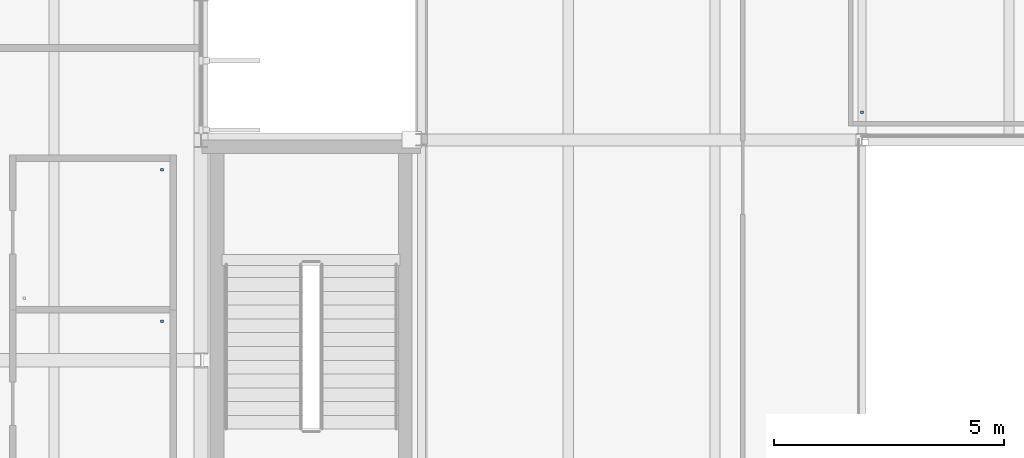
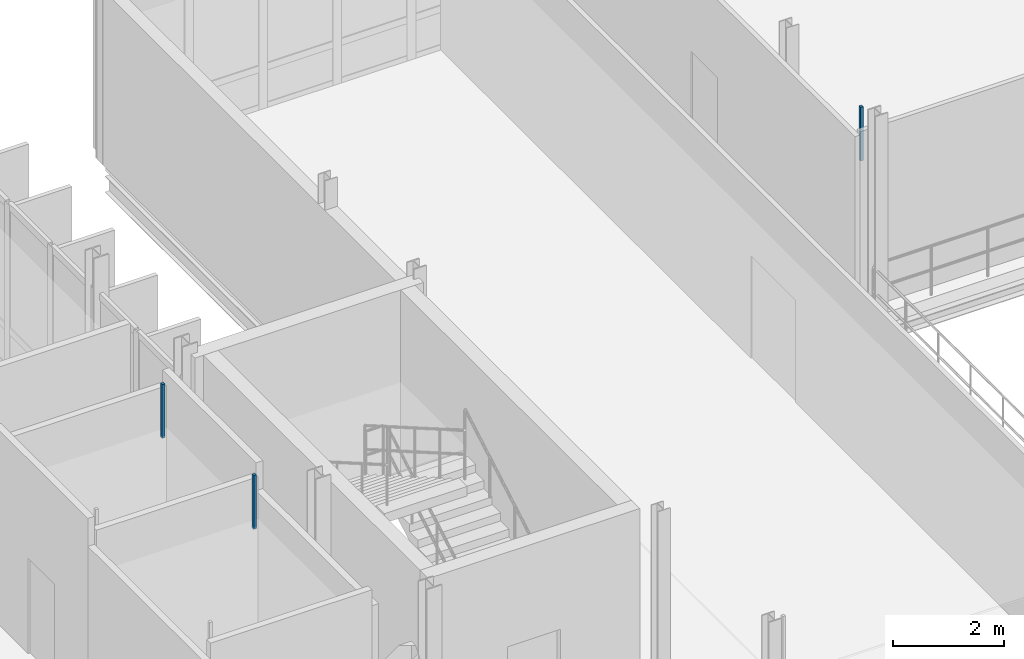
# One storey, part 42 of 59: 3 discrete accessories.
"""IFC4 building model written with IfcOpenShell, lengths in metres."""

from ifc_helpers import new_model, si_unit, direction, frame, origin, place, context, subcontext, project, spatial, polyline, outline, extrude, material, type_object, element, save


model = new_model("IFC4")

# Units and contexts
model_context = context("Model", 3, precision=1e-05, world=origin(), true_north=direction((0.0, 1.0)))
body_context = subcontext(model_context, "Body", "Model", "MODEL_VIEW")
ifc_project = project(units=[si_unit("LENGTHUNIT", "METRE"), si_unit("AREAUNIT", "SQUARE_METRE"), si_unit("VOLUMEUNIT", "CUBIC_METRE"), si_unit("PLANEANGLEUNIT", "RADIAN"), si_unit("MASSUNIT", "GRAM", prefix="KILO")], contexts=[model_context])

# Site, building, storey
site_placement = place(None, origin())
site = spatial("IfcSite", under=ifc_project, at=site_placement, CompositionType="ELEMENT")
building_placement = place(site_placement, origin())
building = spatial("IfcBuilding", under=site, at=building_placement, Name="Dunescarp Central Library", CompositionType="ELEMENT")
storey_placement = place(building_placement, frame((0.0, 0.0, 18.60009765625)))
storey = spatial("IfcBuildingStorey", under=building, at=storey_placement, Name="L04", CompositionType="ELEMENT", Elevation=18.60009765625)

# Discrete accessories
ifc_material = material(Name="Stainless steel Grade 316L", Category="steel")
discrete_accessory_type = type_object("IfcDiscreteAccessoryType", Name="ARC-ACC-BRK", PredefinedType="BRACKET", material=ifc_material)
discrete_accessory_1_placement = place(storey_placement, frame((0.0, 0.0, 3.059814453125)))
element("IfcDiscreteAccessory", 1, at=discrete_accessory_1_placement, inside=storey, type_object=discrete_accessory_type, Name="L04 ceiling hanger CLG-L04-029-H2", PredefinedType="BRACKET", context=body_context, shape_type="SweptSolid", body=[
    extrude(outline(polyline([(32.719970703125, 21.6201171875), (32.780029296875, 21.6201171875), (32.780029296875, 21.679931640625), (32.719970703125, 21.679931640625), (32.719970703125, 21.6201171875)])), origin(), (0.0, 0.0, 1.0), 1.18017578125),
])
discrete_accessory_2_placement = place(storey_placement, frame((0.0, 0.0, 3.059814453125)))
element("IfcDiscreteAccessory", 2, at=discrete_accessory_2_placement, inside=storey, type_object=discrete_accessory_type, Name="L04 ceiling hanger CLG-L04-030-H2", PredefinedType="BRACKET", context=body_context, shape_type="SweptSolid", body=[
    extrude(outline(polyline([(32.719970703125, 24.919921875), (32.780029296875, 24.919921875), (32.780029296875, 24.97998046875), (32.719970703125, 24.97998046875), (32.719970703125, 24.919921875)])), origin(), (0.0, 0.0, 1.0), 1.18017578125),
])
discrete_accessory_3_placement = place(storey_placement, frame((0.0, 0.0, 3.059814453125)))
element("IfcDiscreteAccessory", 3, at=discrete_accessory_3_placement, inside=storey, type_object=discrete_accessory_type, Name="L04 ceiling hanger CLG-L04-081-H1", PredefinedType="BRACKET", context=body_context, shape_type="SweptSolid", body=[
    extrude(outline(polyline([(47.969970703125, 26.169921875), (48.030029296875, 26.169921875), (48.030029296875, 26.22998046875), (47.969970703125, 26.22998046875), (47.969970703125, 26.169921875)])), origin(), (0.0, 0.0, 1.0), 1.18017578125),
])

save(model, "model.ifc")
